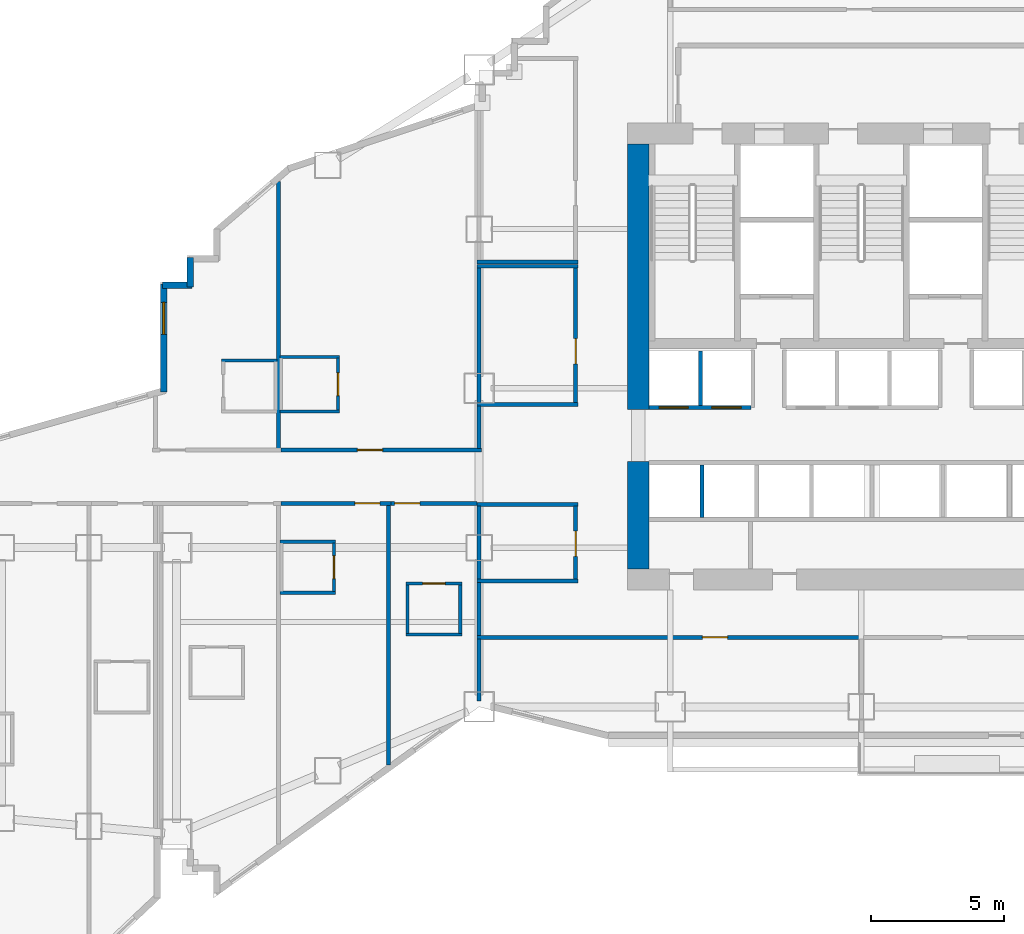
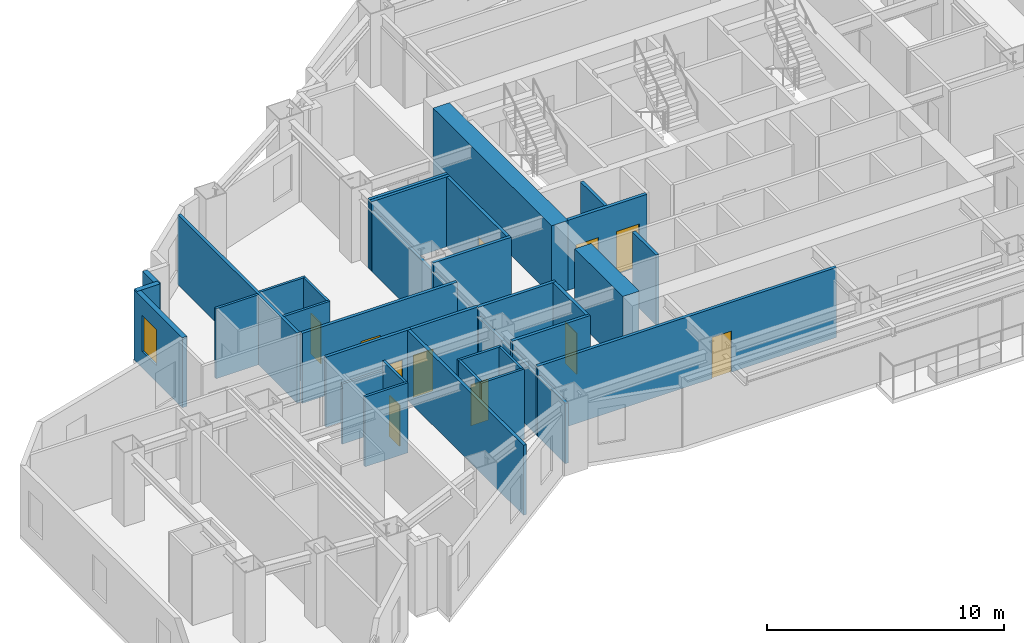
# One storey, part 7 of 17: 37 walls, 11 doors, 1 window, 12 openings.
"""IFC4 building model written with IfcOpenShell, lengths in metres."""

from ifc_helpers import new_model, si_unit, direction, frame, frame_2d, origin, place, context, subcontext, project, spatial, rectangle, extrude, material, layer, layer_set, type_object, element, fill, save


model = new_model("IFC4")

# Units and contexts
model_context = context("Model", 3, precision=1e-05, world=origin(), true_north=direction((0.0, 1.0)))
body_context = subcontext(model_context, "Body", "Model", "MODEL_VIEW")
ifc_project = project(units=[si_unit("LENGTHUNIT", "METRE"), si_unit("AREAUNIT", "SQUARE_METRE"), si_unit("VOLUMEUNIT", "CUBIC_METRE"), si_unit("PLANEANGLEUNIT", "RADIAN"), si_unit("MASSUNIT", "GRAM", prefix="KILO")], contexts=[model_context])

# Site, building, storey
site_placement = place(None, origin())
site = spatial("IfcSite", under=ifc_project, at=site_placement, CompositionType="ELEMENT")
building_placement = place(site_placement, origin())
building = spatial("IfcBuilding", under=site, at=building_placement, Name="Haolan Belvedere Tower", CompositionType="ELEMENT")
storey_placement = place(building_placement, frame((0.0, 0.0, 59.0)))
storey = spatial("IfcBuildingStorey", under=building, at=storey_placement, Name="L14", CompositionType="ELEMENT", Elevation=59.0)

# Walls
ifc_material_1 = material(Name="Concrete C70/85", Category="concrete")
ifc_layer_1 = layer(ifc_material_1, 0.800048828125, Name="Concrete C70/85")
ifc_layer_set_1 = layer_set([ifc_layer_1], Name="Concrete C70/85")
wall_type_1 = type_object("IfcWallType", Name="WL-CORE-800", PredefinedType="SHEAR", material=ifc_layer_set_1)
wall_1_placement = place(storey_placement, frame((30.0, 26.800048828125, 0.0), z_axis=(0.0, 0.0, 1.0), x_axis=(0.0, 1.0, 0.0)))
element("IfcWall", 1, at=wall_1_placement, inside=storey, type_object=wall_type_1, Name="L14 central core shear wall WS", PredefinedType="SHEAR", context=body_context, shape_type="SweptSolid", body=[
    extrude(rectangle(XDim=4.050048828125, YDim=0.800048828125, at=frame_2d((2.02490234375, 0.0))), origin(), (0.0, 0.0, 1.0), 3.60009765625),
])
wall_2_placement = place(storey_placement, frame((30.0, 32.800048828125, 0.0), z_axis=(0.0, 0.0, 1.0), x_axis=(0.0, 1.0, 0.0)))
element("IfcWall", 2, at=wall_2_placement, inside=storey, type_object=wall_type_1, Name="L14 central core shear wall WN", PredefinedType="SHEAR", context=body_context, shape_type="SweptSolid", body=[
    extrude(rectangle(XDim=10.0, YDim=0.800048828125, at=frame_2d((5.0, 0.0))), origin(), (0.0, 0.0, 1.0), 3.60009765625),
])
ifc_material_2 = material(Name="Precast concrete C40/50", Category="concrete")
ifc_layer_2 = layer(ifc_material_2, 0.239990234375, Name="Precast concrete C40/50")
ifc_layer_set_2 = layer_set([ifc_layer_2], Name="Precast concrete C40/50")
wall_type_2 = type_object("IfcWallType", Name="WL-EXT-240", PredefinedType="SOLIDWALL", material=ifc_layer_set_2)
wall_3_placement = place(storey_placement, frame((13.1201171875, 38.534912109375, 0.0), z_axis=(0.0, 0.0, 1.0), x_axis=(0.0, -1.0, 0.0)))
element("IfcWall", 3, at=wall_3_placement, inside=storey, type_object=wall_type_2, Name="L14 pale-metal exterior spandrel wall 54.1", PredefinedType="SOLIDWALL", context=body_context, shape_type="SweptSolid", body=[
    extrude(rectangle(XDim=1.10986328125, YDim=0.239990234375, at=frame_2d((0.554931640625, 0.0))), origin(), (0.0, 0.0, 1.0), 3.60009765625),
])
wall_4_placement = place(storey_placement, frame((13.175048828125, 37.47998046875, 0.0), z_axis=(0.0, 0.0, 1.0), x_axis=(-1.0, 0.0, 0.0)))
element("IfcWall", 4, at=wall_4_placement, inside=storey, type_object=wall_type_2, Name="L14 pale-metal exterior spandrel wall 55.1", PredefinedType="SOLIDWALL", context=body_context, shape_type="SweptSolid", body=[
    extrude(rectangle(XDim=1.110107421875, YDim=0.239990234375, at=frame_2d((0.55517578125, 0.0))), origin(), (0.0, 0.0, 1.0), 3.60009765625),
])

# Wall, opening, window
wall_5_placement = place(storey_placement, frame((12.1201171875, 37.534912109375, 0.0), z_axis=(0.0, 0.0, 1.0), x_axis=(0.0, -1.0, 0.0)))
wall_5 = element("IfcWall", 5, at=wall_5_placement, inside=storey, type_object=wall_type_2, Name="L14 pale-metal exterior spandrel wall 56.1", PredefinedType="SOLIDWALL", context=body_context, shape_type="SweptSolid", body=[
    extrude(rectangle(XDim=4.080322265625, YDim=0.239990234375, at=frame_2d((2.0400390625, 0.0))), origin(), (0.0, 0.0, 1.0), 3.60009765625),
])
opening_1_placement = place(wall_5_placement, frame((0.699951171875, 0.0, 0.85009765625)))
opening_1 = element("IfcOpeningElement", 6, at=opening_1_placement, cuts=wall_5, Name="Opening W-01", PredefinedType="OPENING", context=body_context, shape_type="SweptSolid", body=[
    extrude(rectangle(XDim=1.199951171875, YDim=1.85009765625, at=frame_2d((0.60009765625, 0.925048828125))), frame((0.0, 0.1298828125, 0.0), z_axis=(0.0, -1.0, 0.0), x_axis=(1.0, 0.0, 0.0)), (0.0, 0.0, 1.0), 0.260009765625),
])
ifc_material_3 = material(Name="Anodised aluminium 6063-T6 and Low-E glass", Category="aluminium")
window_type = type_object("IfcWindowType", Name="WN-DECO-Z1", PartitioningType="SINGLE_PANEL", PredefinedType="WINDOW", material=ifc_material_3)
window_placement = place(opening_1_placement, origin())
window = element("IfcWindow", 7, at=window_placement, inside=storey, type_object=window_type, Name="L14 Art Deco chevron window 1", OverallHeight=1.85009765625, OverallWidth=1.199951171875, PartitioningType="SINGLE_PANEL", PredefinedType="WINDOW", context=body_context, shape_type="SweptSolid", body=[
    extrude(rectangle(XDim=1.199951171875, YDim=1.85009765625, at=frame_2d((0.60009765625, 0.925048828125))), frame((0.0, 0.030029296875, 0.0), z_axis=(0.0, -1.0, 0.0), x_axis=(1.0, 0.0, 0.0)), (0.0, 0.0, 1.0), 0.06005859375),
])
fill(opening_1, window)

# Walls
ifc_material_4 = material(Name="Double gypsum acoustic stud partition", Category="masonry")
ifc_layer_3 = layer(ifc_material_4, 0.14990234375, Name="Double gypsum acoustic stud partition")
ifc_layer_set_3 = layer_set([ifc_layer_3], Name="Double gypsum acoustic stud partition")
wall_type_3 = type_object("IfcWallType", Name="WL-PART-150", PredefinedType="PARTITIONING", material=ifc_layer_set_3)
for number, where, z_axis, x_axis, name in (
    (8, (23.919921875, 38.199951171875, 0.0), (0.0, 0.0, 1.0), (1.0, 0.0, 0.0), "L14 interior partition IW-L14-HSK-N"),
    (9, (23.919921875, 33.0, 0.0), (0.0, 0.0, 1.0), (1.0, 0.0, 0.0), "L14 interior partition IW-L14-HSK-S"),
):
    element("IfcWall", number, at=place(storey_placement, frame(where, z_axis=z_axis, x_axis=x_axis)), inside=storey, type_object=wall_type_3, Name=name, PredefinedType="PARTITIONING", context=body_context, shape_type="SweptSolid", body=[
        extrude(rectangle(XDim=3.800048828125, YDim=0.14990234375, at=frame_2d((1.89990234375, 0.0))), origin(), (0.0, 0.0, 1.0), 3.60009765625),
    ])
wall_6_placement = place(storey_placement, frame((24.0, 33.06005859375, 0.0), z_axis=(0.0, 0.0, 1.0), x_axis=(0.0, 1.0, 0.0)))
element("IfcWall", 10, at=wall_6_placement, inside=storey, type_object=wall_type_3, Name="L14 interior partition IW-L14-HSK-W", PredefinedType="PARTITIONING", context=body_context, shape_type="SweptSolid", body=[
    extrude(rectangle(XDim=5.079833984375, YDim=0.14990234375, at=frame_2d((2.5400390625, 0.0))), origin(), (0.0, 0.0, 1.0), 3.096923828125),
])

# Wall, opening, door
wall_7_placement = place(storey_placement, frame((27.639892578125, 33.06005859375, 0.0), z_axis=(0.0, 0.0, 1.0), x_axis=(0.0, 1.0, 0.0)))
wall_7 = element("IfcWall", 11, at=wall_7_placement, inside=storey, type_object=wall_type_3, Name="L14 interior partition IW-L14-HSK-E", PredefinedType="PARTITIONING", context=body_context, shape_type="SweptSolid", body=[
    extrude(rectangle(XDim=5.079833984375, YDim=0.14990234375, at=frame_2d((2.5400390625, 0.0))), origin(), (0.0, 0.0, 1.0), 3.60009765625),
])
opening_2_placement = place(wall_7_placement, frame((2.409912109375, 0.0, 0.0), z_axis=(0.0, 0.0, 1.0), x_axis=(-1.0, 0.0, 0.0)))
opening_2 = element("IfcOpeningElement", 12, at=opening_2_placement, cuts=wall_7, Name="Opening ID-03", PredefinedType="OPENING", context=body_context, shape_type="SweptSolid", body=[
    extrude(rectangle(XDim=0.949951171875, YDim=2.1201171875, at=frame_2d((0.47509765625, 1.06005859375))), frame((0.0, 0.0849609375, 0.0), z_axis=(0.0, -1.0, 0.0), x_axis=(1.0, 0.0, 0.0)), (0.0, 0.0, 1.0), 0.169921875),
])
ifc_material_5 = material(Name="Painted solid-core timber", Category="wood")
door_type_1 = type_object("IfcDoorType", Name="DR-INT-950", OperationType="NOTDEFINED", PredefinedType="DOOR", material=ifc_material_5)
door_1_placement = place(opening_2_placement, origin())
door_1 = element("IfcDoor", 13, at=door_1_placement, inside=storey, type_object=door_type_1, Name="L14 door ID-L14-HSK", OperationType="SINGLE_SWING_LEFT", OverallHeight=2.1201171875, OverallWidth=0.949951171875, PredefinedType="DOOR", context=body_context, shape_type="SweptSolid", body=[
    extrude(rectangle(XDim=0.949951171875, YDim=2.1201171875, at=frame_2d((0.47509765625, 1.06005859375))), frame((0.0, 0.02490234375, 0.0), z_axis=(0.0, -1.0, 0.0), x_axis=(1.0, 0.0, 0.0)), (0.0, 0.0, 1.0), 0.050048828125),
])
fill(opening_2, door_1)

# Walls
for number, where, z_axis, x_axis, name in (
    (14, (23.919921875, 38.360107421875, 0.0), (0.0, 0.0, 1.0), (1.0, 0.0, 0.0), "L14 interior partition IW-L14-VLT-S"),
    (15, (23.919921875, 29.22998046875, 0.0), (0.0, 0.0, 1.0), (1.0, 0.0, 0.0), "L14 interior partition IW-L14-PKTW-N"),
    (16, (23.919921875, 26.35009765625, 0.0), (0.0, 0.0, 1.0), (1.0, 0.0, 0.0), "L14 interior partition IW-L14-PKTW-S"),
):
    element("IfcWall", number, at=place(storey_placement, frame(where, z_axis=z_axis, x_axis=x_axis)), inside=storey, type_object=wall_type_3, Name=name, PredefinedType="PARTITIONING", context=body_context, shape_type="SweptSolid", body=[
        extrude(rectangle(XDim=3.800048828125, YDim=0.14990234375, at=frame_2d((1.89990234375, 0.0))), origin(), (0.0, 0.0, 1.0), 3.60009765625),
    ])
wall_8_placement = place(storey_placement, frame((24.0, 26.409912109375, 0.0), z_axis=(0.0, 0.0, 1.0), x_axis=(0.0, 1.0, 0.0)))
element("IfcWall", 17, at=wall_8_placement, inside=storey, type_object=wall_type_3, Name="L14 interior partition IW-L14-PKTW-W", PredefinedType="PARTITIONING", context=body_context, shape_type="SweptSolid", body=[
    extrude(rectangle(XDim=2.760009765625, YDim=0.14990234375, at=frame_2d((1.3798828125, 0.0))), origin(), (0.0, 0.0, 1.0), 3.096923828125),
])

# Wall, opening, door
wall_9_placement = place(storey_placement, frame((27.639892578125, 26.409912109375, 0.0), z_axis=(0.0, 0.0, 1.0), x_axis=(0.0, 1.0, 0.0)))
wall_9 = element("IfcWall", 18, at=wall_9_placement, inside=storey, type_object=wall_type_3, Name="L14 interior partition IW-L14-PKTW-E", PredefinedType="PARTITIONING", context=body_context, shape_type="SweptSolid", body=[
    extrude(rectangle(XDim=2.760009765625, YDim=0.14990234375, at=frame_2d((1.3798828125, 0.0))), origin(), (0.0, 0.0, 1.0), 3.60009765625),
])
opening_3_placement = place(wall_9_placement, frame((1.81005859375, 0.0, 0.0), z_axis=(0.0, 0.0, 1.0), x_axis=(-1.0, 0.0, 0.0)))
opening_3 = element("IfcOpeningElement", 19, at=opening_3_placement, cuts=wall_9, Name="Opening ID-03", PredefinedType="OPENING", context=body_context, shape_type="SweptSolid", body=[
    extrude(rectangle(XDim=0.949951171875, YDim=2.1201171875, at=frame_2d((0.47509765625, 1.06005859375))), frame((0.0, 0.0849609375, 0.0), z_axis=(0.0, -1.0, 0.0), x_axis=(1.0, 0.0, 0.0)), (0.0, 0.0, 1.0), 0.169921875),
])
door_2_placement = place(opening_3_placement, origin())
door_2 = element("IfcDoor", 20, at=door_2_placement, inside=storey, type_object=door_type_1, Name="L14 door ID-L14-PKTW", OperationType="SINGLE_SWING_LEFT", OverallHeight=2.1201171875, OverallWidth=0.949951171875, PredefinedType="DOOR", context=body_context, shape_type="SweptSolid", body=[
    extrude(rectangle(XDim=0.949951171875, YDim=2.1201171875, at=frame_2d((0.47509765625, 1.06005859375))), frame((0.0, 0.02490234375, 0.0), z_axis=(0.0, -1.0, 0.0), x_axis=(1.0, 0.0, 0.0)), (0.0, 0.0, 1.0), 0.050048828125),
])
fill(opening_3, door_2)

wall_10_placement = place(storey_placement, frame((23.919921875, 24.219970703125, 0.0), z_axis=(0.0, 0.0, 1.0), x_axis=(1.0, 0.0, 0.0)))
wall_10 = element("IfcWall", 21, at=wall_10_placement, inside=storey, type_object=wall_type_3, Name="L14 interior partition IW-L14-KS1-N", PredefinedType="PARTITIONING", context=body_context, shape_type="SweptSolid", body=[
    extrude(rectangle(XDim=14.56005859375, YDim=0.14990234375, at=frame_2d((7.280029296875, 0.0))), origin(), (0.0, 0.0, 1.0), 3.60009765625),
])
opening_4_placement = place(wall_10_placement, frame((9.445068359375, 0.0, 0.0), z_axis=(0.0, 0.0, 1.0), x_axis=(-1.0, 0.0, 0.0)))
opening_4 = element("IfcOpeningElement", 22, at=opening_4_placement, cuts=wall_10, Name="Opening ID-03", PredefinedType="OPENING", context=body_context, shape_type="SweptSolid", body=[
    extrude(rectangle(XDim=0.949951171875, YDim=2.1201171875, at=frame_2d((0.47509765625, 1.06005859375))), frame((0.0, 0.0849609375, 0.0), z_axis=(0.0, -1.0, 0.0), x_axis=(1.0, 0.0, 0.0)), (0.0, 0.0, 1.0), 0.169921875),
])
door_3_placement = place(opening_4_placement, origin())
door_3 = element("IfcDoor", 23, at=door_3_placement, inside=storey, type_object=door_type_1, Name="L14 door ID-L14-KS1", OperationType="SINGLE_SWING_RIGHT", OverallHeight=2.1201171875, OverallWidth=0.949951171875, PredefinedType="DOOR", context=body_context, shape_type="SweptSolid", body=[
    extrude(rectangle(XDim=0.949951171875, YDim=2.1201171875, at=frame_2d((0.47509765625, 1.06005859375))), frame((0.0, 0.02490234375, 0.0), z_axis=(0.0, -1.0, 0.0), x_axis=(1.0, 0.0, 0.0)), (0.0, 0.0, 1.0), 0.050048828125),
])
fill(opening_4, door_3)

# Walls
wall_11_placement = place(storey_placement, frame((24.0, 21.818603515625, 0.0), z_axis=(0.0, 0.0, 1.0), x_axis=(0.0, 1.0, 0.0)))
element("IfcWall", 24, at=wall_11_placement, inside=storey, type_object=wall_type_3, Name="L14 interior partition IW-L14-KS1-W", PredefinedType="PARTITIONING", context=body_context, shape_type="SweptSolid", body=[
    extrude(rectangle(XDim=2.34130859375, YDim=0.14990234375, at=frame_2d((1.170654296875, 0.0))), origin(), (0.0, 0.0, 1.0), 3.096923828125),
])
wall_12_placement = place(storey_placement, frame((16.43994140625, 31.340087890625, 0.0), z_axis=(0.0, 0.0, 1.0), x_axis=(0.0, 1.0, 0.0)))
element("IfcWall", 25, at=wall_12_placement, inside=storey, type_object=wall_type_3, Name="L14 interior partition IW-L14-T2N1-E", PredefinedType="PARTITIONING", context=body_context, shape_type="SweptSolid", body=[
    extrude(rectangle(XDim=10.054931640625, YDim=0.14990234375, at=frame_2d((5.02734375, 0.0))), origin(), (0.0, 0.0, 1.0), 3.60009765625),
])

# Wall, opening, door
wall_13_placement = place(storey_placement, frame((16.5419921875, 31.280029296875, 0.0), z_axis=(0.0, 0.0, 1.0), x_axis=(1.0, 0.0, 0.0)))
wall_13 = element("IfcWall", 26, at=wall_13_placement, inside=storey, type_object=wall_type_3, Name="L14 interior partition IW-L14-T2N2-S", PredefinedType="PARTITIONING", context=body_context, shape_type="SweptSolid", body=[
    extrude(rectangle(XDim=7.55810546875, YDim=0.14990234375, at=frame_2d((3.779052734375, 0.0))), origin(), (0.0, 0.0, 1.0), 3.60009765625),
])
opening_5_placement = place(wall_13_placement, frame((2.869384765625, 0.0, 0.0)))
opening_5 = element("IfcOpeningElement", 27, at=opening_5_placement, cuts=wall_13, Name="Opening ID-01", PredefinedType="OPENING", context=body_context, shape_type="SweptSolid", body=[
    extrude(rectangle(XDim=0.949951171875, YDim=2.179931640625, at=frame_2d((0.47509765625, 1.08984375))), frame((0.0, 0.0849609375, 0.0), z_axis=(0.0, -1.0, 0.0), x_axis=(1.0, 0.0, 0.0)), (0.0, 0.0, 1.0), 0.169921875),
])
ifc_material_6 = material(Name="Acoustic walnut veneer fire-rated timber", Category="wood")
door_type_2 = type_object("IfcDoorType", Name="DR-SUITE-950", OperationType="NOTDEFINED", PredefinedType="DOOR", material=ifc_material_6)
door_4_placement = place(opening_5_placement, origin())
door_4 = element("IfcDoor", 28, at=door_4_placement, inside=storey, type_object=door_type_2, Name="L14 door ID-L14-T2N2-ENT", OperationType="SINGLE_SWING_LEFT", OverallHeight=2.179931640625, OverallWidth=0.949951171875, PredefinedType="DOOR", context=body_context, shape_type="SweptSolid", body=[
    extrude(rectangle(XDim=0.949951171875, YDim=2.179931640625, at=frame_2d((0.47509765625, 1.08984375))), frame((0.0, 0.02490234375, 0.0), z_axis=(0.0, -1.0, 0.0), x_axis=(1.0, 0.0, 0.0)), (0.0, 0.0, 1.0), 0.050048828125),
])
fill(opening_5, door_4)

# Wall
wall_14_placement = place(storey_placement, frame((24.0, 31.340087890625, 0.0), z_axis=(0.0, 0.0, 1.0), x_axis=(0.0, 1.0, 0.0)))
element("IfcWall", 29, at=wall_14_placement, inside=storey, type_object=wall_type_3, Name="L14 interior partition IW-L14-T2N2-E", PredefinedType="PARTITIONING", context=body_context, shape_type="SweptSolid", body=[
    extrude(rectangle(XDim=1.599853515625, YDim=0.14990234375, at=frame_2d((0.7998046875, 0.0))), origin(), (0.0, 0.0, 1.0), 3.096923828125),
])

# Wall, opening, door
wall_15_placement = place(storey_placement, frame((16.5419921875, 29.27001953125, 0.0), z_axis=(0.0, 0.0, 1.0), x_axis=(1.0, 0.0, 0.0)))
wall_15 = element("IfcWall", 30, at=wall_15_placement, inside=storey, type_object=wall_type_3, Name="L14 interior partition IW-L14-T2S2-N", PredefinedType="PARTITIONING", context=body_context, shape_type="SweptSolid", body=[
    extrude(rectangle(XDim=4.137939453125, YDim=0.14990234375, at=frame_2d((2.06884765625, 0.0))), origin(), (0.0, 0.0, 1.0), 3.60009765625),
])
opening_6_placement = place(wall_15_placement, frame((3.724853515625, 0.0, 0.0), z_axis=(0.0, 0.0, 1.0), x_axis=(-1.0, 0.0, 0.0)))
opening_6 = element("IfcOpeningElement", 31, at=opening_6_placement, cuts=wall_15, Name="Opening ID-02", PredefinedType="OPENING", context=body_context, shape_type="SweptSolid", body=[
    extrude(rectangle(XDim=0.949951171875, YDim=2.14990234375, at=frame_2d((0.47509765625, 1.074951171875))), frame((0.0, 0.0849609375, 0.0), z_axis=(0.0, -1.0, 0.0), x_axis=(1.0, 0.0, 0.0)), (0.0, 0.0, 1.0), 0.169921875),
])
ifc_material_7 = material(Name="Acoustic oak veneer fire-rated timber", Category="wood")
door_type_3 = type_object("IfcDoorType", Name="DR-GUEST-950", OperationType="NOTDEFINED", PredefinedType="DOOR", material=ifc_material_7)
door_5_placement = place(opening_6_placement, origin())
door_5 = element("IfcDoor", 32, at=door_5_placement, inside=storey, type_object=door_type_3, Name="L14 door ID-L14-T2S2-ENT", OperationType="SINGLE_SWING_LEFT", OverallHeight=2.14990234375, OverallWidth=0.949951171875, PredefinedType="DOOR", context=body_context, shape_type="SweptSolid", body=[
    extrude(rectangle(XDim=0.949951171875, YDim=2.14990234375, at=frame_2d((0.47509765625, 1.074951171875))), frame((0.0, 0.02490234375, 0.0), z_axis=(0.0, -1.0, 0.0), x_axis=(1.0, 0.0, 0.0)), (0.0, 0.0, 1.0), 0.050048828125),
])
fill(opening_6, door_5)

# Wall
wall_16_placement = place(storey_placement, frame((20.580078125, 19.414794921875, 0.0), z_axis=(0.0, 0.0, 1.0), x_axis=(0.0, 1.0, 0.0)))
element("IfcWall", 33, at=wall_16_placement, inside=storey, type_object=wall_type_3, Name="L14 interior partition IW-L14-T2S2-E", PredefinedType="PARTITIONING", context=body_context, shape_type="SweptSolid", body=[
    extrude(rectangle(XDim=9.795166015625, YDim=0.14990234375, at=frame_2d((4.8974609375, 0.0))), origin(), (0.0, 0.0, 1.0), 3.60009765625),
])

# Wall, opening, door
wall_17_placement = place(storey_placement, frame((20.681884765625, 29.27001953125, 0.0), z_axis=(0.0, 0.0, 1.0), x_axis=(1.0, 0.0, 0.0)))
wall_17 = element("IfcWall", 34, at=wall_17_placement, inside=storey, type_object=wall_type_3, Name="L14 interior partition IW-L14-T2S3-N", PredefinedType="PARTITIONING", context=body_context, shape_type="SweptSolid", body=[
    extrude(rectangle(XDim=3.236083984375, YDim=0.14990234375, at=frame_2d((1.6181640625, 0.0))), origin(), (0.0, 0.0, 1.0), 3.60009765625),
])
opening_7_placement = place(wall_17_placement, frame((1.08984375, 0.0, 0.0), z_axis=(0.0, 0.0, 1.0), x_axis=(-1.0, 0.0, 0.0)))
opening_7 = element("IfcOpeningElement", 35, at=opening_7_placement, cuts=wall_17, Name="Opening ID-02", PredefinedType="OPENING", context=body_context, shape_type="SweptSolid", body=[
    extrude(rectangle(XDim=0.949951171875, YDim=2.14990234375, at=frame_2d((0.47509765625, 1.074951171875))), frame((0.0, 0.0849609375, 0.0), z_axis=(0.0, -1.0, 0.0), x_axis=(1.0, 0.0, 0.0)), (0.0, 0.0, 1.0), 0.169921875),
])
door_6_placement = place(opening_7_placement, origin())
door_6 = element("IfcDoor", 36, at=door_6_placement, inside=storey, type_object=door_type_3, Name="L14 door ID-L14-T2S3-ENT", OperationType="SINGLE_SWING_RIGHT", OverallHeight=2.14990234375, OverallWidth=0.949951171875, PredefinedType="DOOR", context=body_context, shape_type="SweptSolid", body=[
    extrude(rectangle(XDim=0.949951171875, YDim=2.14990234375, at=frame_2d((0.47509765625, 1.074951171875))), frame((0.0, 0.02490234375, 0.0), z_axis=(0.0, -1.0, 0.0), x_axis=(1.0, 0.0, 0.0)), (0.0, 0.0, 1.0), 0.050048828125),
])
fill(opening_7, door_6)

# Wall
wall_18_placement = place(storey_placement, frame((24.0, 24.280029296875, 0.0), z_axis=(0.0, 0.0, 1.0), x_axis=(0.0, 1.0, 0.0)))
element("IfcWall", 37, at=wall_18_placement, inside=storey, type_object=wall_type_3, Name="L14 interior partition IW-L14-T2S3-E", PredefinedType="PARTITIONING", context=body_context, shape_type="SweptSolid", body=[
    extrude(rectangle(XDim=2.010009765625, YDim=0.14990234375, at=frame_2d((1.0048828125, 0.0))), origin(), (0.0, 0.0, 1.0), 3.096923828125),
])

# Wall, openings, doors
ifc_material_8 = material(Name="Gypsum fire shaftwall assembly", Category="masonry")
ifc_layer_4 = layer(ifc_material_8, 0.1650390625, Name="Gypsum fire shaftwall assembly")
ifc_layer_set_4 = layer_set([ifc_layer_4], Name="Gypsum fire shaftwall assembly")
wall_type_4 = type_object("IfcWallType", Name="WL-SHAFT-160", PredefinedType="SOLIDWALL", material=ifc_layer_set_4)
wall_19_placement = place(storey_placement, frame((30.39990234375, 32.8798828125, 0.0), z_axis=(0.0, 0.0, 1.0), x_axis=(1.0, 0.0, 0.0)))
wall_19 = element("IfcWall", 38, at=wall_19_placement, inside=storey, type_object=wall_type_4, Name="L14 interior partition IW-L14-ROW-PN1", PredefinedType="SOLIDWALL", context=body_context, shape_type="SweptSolid", body=[
    extrude(rectangle(XDim=3.85009765625, YDim=0.159912109375, at=frame_2d((1.925048828125, 0.0))), origin(), (0.0, 0.0, 1.0), 3.60009765625),
])
opening_8_placement = place(wall_19_placement, frame((1.47998046875, 0.0, 0.0), z_axis=(0.0, 0.0, 1.0), x_axis=(-1.0, 0.0, 0.0)))
opening_8 = element("IfcOpeningElement", 39, at=opening_8_placement, cuts=wall_19, Name="Opening LD-01", PredefinedType="OPENING", context=body_context, shape_type="SweptSolid", body=[
    extrude(rectangle(XDim=1.10009765625, YDim=2.199951171875, at=frame_2d((0.550048828125, 1.10009765625))), frame((0.0, 0.08984375, 0.0), z_axis=(0.0, -1.0, 0.0), x_axis=(1.0, 0.0, 0.0)), (0.0, 0.0, 1.0), 0.179931640625),
])
opening_9_placement = place(wall_19_placement, frame((3.47021484375, 0.0, 0.0), z_axis=(0.0, 0.0, 1.0), x_axis=(-1.0, 0.0, 0.0)))
opening_9 = element("IfcOpeningElement", 40, at=opening_9_placement, cuts=wall_19, Name="Opening LD-01", PredefinedType="OPENING", context=body_context, shape_type="SweptSolid", body=[
    extrude(rectangle(XDim=1.10009765625, YDim=2.199951171875, at=frame_2d((0.550048828125, 1.10009765625))), frame((0.0, 0.08984375, 0.0), z_axis=(0.0, -1.0, 0.0), x_axis=(1.0, 0.0, 0.0)), (0.0, 0.0, 1.0), 0.179931640625),
])
ifc_material_9 = material(Name="Brushed champagne stainless steel 316L", Category="steel")
door_type_4 = type_object("IfcDoorType", Name="DR-LIFT-1100", OperationType="SLIDING_TO_LEFT", PredefinedType="DOOR", material=ifc_material_9)
door_7_placement = place(opening_8_placement, origin())
door_7 = element("IfcDoor", 41, at=door_7_placement, inside=storey, type_object=door_type_4, Name="L14 door ID-L14-LD-PL1", OperationType="SLIDING_TO_LEFT", OverallHeight=2.199951171875, OverallWidth=1.10009765625, PredefinedType="DOOR", context=body_context, shape_type="SweptSolid", body=[
    extrude(rectangle(XDim=1.10009765625, YDim=2.199951171875, at=frame_2d((0.550048828125, 1.10009765625))), frame((0.0, 0.02490234375, 0.0), z_axis=(0.0, -1.0, 0.0), x_axis=(1.0, 0.0, 0.0)), (0.0, 0.0, 1.0), 0.050048828125),
])
fill(opening_8, door_7)
door_8_placement = place(opening_9_placement, origin())
door_8 = element("IfcDoor", 42, at=door_8_placement, inside=storey, type_object=door_type_4, Name="L14 door ID-L14-LD-PL2", OperationType="SLIDING_TO_LEFT", OverallHeight=2.199951171875, OverallWidth=1.10009765625, PredefinedType="DOOR", context=body_context, shape_type="SweptSolid", body=[
    extrude(rectangle(XDim=1.10009765625, YDim=2.199951171875, at=frame_2d((0.550048828125, 1.10009765625))), frame((0.0, 0.02490234375, 0.0), z_axis=(0.0, -1.0, 0.0), x_axis=(1.0, 0.0, 0.0)), (0.0, 0.0, 1.0), 0.050048828125),
])
fill(opening_9, door_8)

# Walls
wall_20_placement = place(storey_placement, frame((32.340087890625, 32.949951171875, 0.0), z_axis=(0.0, 0.0, 1.0), x_axis=(0.0, 1.0, 0.0)))
element("IfcWall", 43, at=wall_20_placement, inside=storey, type_object=wall_type_4, Name="L14 interior partition IW-L14-DIV-PL1", PredefinedType="SOLIDWALL", context=body_context, shape_type="SweptSolid", body=[
    extrude(rectangle(XDim=2.050048828125, YDim=0.14990234375, at=frame_2d((1.02490234375, 0.0))), origin(), (0.0, 0.0, 1.0), 3.60009765625),
])
wall_21_placement = place(storey_placement, frame((32.39990234375, 28.735107421875, 0.0), z_axis=(0.0, 0.0, 1.0), x_axis=(0.0, 1.0, 0.0)))
element("IfcWall", 44, at=wall_21_placement, inside=storey, type_object=wall_type_4, Name="L14 interior partition IW-L14-DIV-PM1", PredefinedType="SOLIDWALL", context=body_context, shape_type="SweptSolid", body=[
    extrude(rectangle(XDim=1.98486328125, YDim=0.14990234375, at=frame_2d((0.992431640625, 0.0))), origin(), (0.0, 0.0, 1.0), 3.60009765625),
])
ifc_material_10 = material(Name="Moisture-resistant gypsum tile partition", Category="masonry")
ifc_layer_5 = layer(ifc_material_10, 0.1201171875, Name="Moisture-resistant gypsum tile partition")
ifc_layer_set_5 = layer_set([ifc_layer_5], Name="Moisture-resistant gypsum tile partition")
wall_type_5 = type_object("IfcWallType", Name="WL-WET-120", PredefinedType="PARTITIONING", material=ifc_layer_set_5)
wall_22_placement = place(storey_placement, frame((14.300048828125, 34.64990234375, 0.0), z_axis=(0.0, 0.0, 1.0), x_axis=(1.0, 0.0, 0.0)))
element("IfcWall", 45, at=wall_22_placement, inside=storey, type_object=wall_type_5, Name="L14 interior partition IW-L14-T2N1-BN", PredefinedType="PARTITIONING", context=body_context, shape_type="SweptSolid", body=[
    extrude(rectangle(XDim=2.079833984375, YDim=0.1201171875, at=frame_2d((1.0400390625, 0.0))), origin(), (0.0, 0.0, 1.0), 3.60009765625),
])
for number, where, z_axis, x_axis, name in (
    (46, (16.5, 34.780029296875, 0.0), (0.0, 0.0, 1.0), (1.0, 0.0, 0.0), "L14 interior partition IW-L14-T2N2-BN"),
    (47, (16.5, 32.72998046875, 0.0), (0.0, 0.0, 1.0), (1.0, 0.0, 0.0), "L14 interior partition IW-L14-T2N2-BS"),
):
    element("IfcWall", number, at=place(storey_placement, frame(where, z_axis=z_axis, x_axis=x_axis)), inside=storey, type_object=wall_type_5, Name=name, PredefinedType="PARTITIONING", context=body_context, shape_type="SweptSolid", body=[
        extrude(rectangle(XDim=2.25, YDim=0.1201171875, at=frame_2d((1.125, 0.0))), origin(), (0.0, 0.0, 1.0), 3.60009765625),
    ])

# Wall, opening, door
wall_23_placement = place(storey_placement, frame((18.68994140625, 32.77490234375, 0.0), z_axis=(0.0, 0.0, 1.0), x_axis=(0.0, 1.0, 0.0)))
wall_23 = element("IfcWall", 48, at=wall_23_placement, inside=storey, type_object=wall_type_5, Name="L14 interior partition IW-L14-T2N2-BE", PredefinedType="PARTITIONING", context=body_context, shape_type="SweptSolid", body=[
    extrude(rectangle(XDim=1.960205078125, YDim=0.1201171875, at=frame_2d((0.97998046875, 0.0))), origin(), (0.0, 0.0, 1.0), 3.60009765625),
])
opening_10_placement = place(wall_23_placement, frame((0.554931640625, 0.0, 0.0)))
opening_10 = element("IfcOpeningElement", 49, at=opening_10_placement, cuts=wall_23, Name="Opening ID-05", PredefinedType="OPENING", context=body_context, shape_type="SweptSolid", body=[
    extrude(rectangle(XDim=0.85009765625, YDim=2.10009765625, at=frame_2d((0.425048828125, 1.050048828125))), frame((0.0, 0.070068359375, 0.0), z_axis=(0.0, -1.0, 0.0), x_axis=(1.0, 0.0, 0.0)), (0.0, 0.0, 1.0), 0.14013671875),
])
ifc_material_11 = material(Name="Moisture-resistant lacquered timber", Category="wood")
door_type_5 = type_object("IfcDoorType", Name="DR-BATH-850", OperationType="NOTDEFINED", PredefinedType="DOOR", material=ifc_material_11)
door_9_placement = place(opening_10_placement, origin())
door_9 = element("IfcDoor", 50, at=door_9_placement, inside=storey, type_object=door_type_5, Name="L14 door ID-L14-T2N2-BATH", OperationType="SINGLE_SWING_RIGHT", OverallHeight=2.10009765625, OverallWidth=0.85009765625, PredefinedType="DOOR", context=body_context, shape_type="SweptSolid", body=[
    extrude(rectangle(XDim=0.85009765625, YDim=2.10009765625, at=frame_2d((0.425048828125, 1.050048828125))), frame((0.0, 0.02490234375, 0.0), z_axis=(0.0, -1.0, 0.0), x_axis=(1.0, 0.0, 0.0)), (0.0, 0.0, 1.0), 0.050048828125),
])
fill(opening_10, door_9)

# Walls
wall_24_placement = place(storey_placement, frame((16.5, 27.820068359375, 0.0), z_axis=(0.0, 0.0, 1.0), x_axis=(1.0, 0.0, 0.0)))
element("IfcWall", 51, at=wall_24_placement, inside=storey, type_object=wall_type_5, Name="L14 interior partition IW-L14-T2S2-BN", PredefinedType="PARTITIONING", context=body_context, shape_type="SweptSolid", body=[
    extrude(rectangle(XDim=2.094970703125, YDim=0.1201171875, at=frame_2d((1.04736328125, 0.0))), origin(), (0.0, 0.0, 1.0), 3.096923828125),
])
wall_25_placement = place(storey_placement, frame((16.5, 25.89990234375, 0.0), z_axis=(0.0, 0.0, 1.0), x_axis=(1.0, 0.0, 0.0)))
element("IfcWall", 52, at=wall_25_placement, inside=storey, type_object=wall_type_5, Name="L14 interior partition IW-L14-T2S2-BS", PredefinedType="PARTITIONING", context=body_context, shape_type="SweptSolid", body=[
    extrude(rectangle(XDim=2.094970703125, YDim=0.1201171875, at=frame_2d((1.04736328125, 0.0))), origin(), (0.0, 0.0, 1.0), 3.60009765625),
])

# Wall, opening, door
wall_26_placement = place(storey_placement, frame((18.534912109375, 25.945068359375, 0.0), z_axis=(0.0, 0.0, 1.0), x_axis=(0.0, 1.0, 0.0)))
wall_26 = element("IfcWall", 53, at=wall_26_placement, inside=storey, type_object=wall_type_5, Name="L14 interior partition IW-L14-T2S2-BE", PredefinedType="PARTITIONING", context=body_context, shape_type="SweptSolid", body=[
    extrude(rectangle(XDim=1.829833984375, YDim=0.1201171875, at=frame_2d((0.9150390625, 0.0))), origin(), (0.0, 0.0, 1.0), 3.60009765625),
])
opening_11_placement = place(wall_26_placement, frame((0.489990234375, 0.0, 0.0)))
opening_11 = element("IfcOpeningElement", 54, at=opening_11_placement, cuts=wall_26, Name="Opening ID-05", PredefinedType="OPENING", context=body_context, shape_type="SweptSolid", body=[
    extrude(rectangle(XDim=0.85009765625, YDim=2.10009765625, at=frame_2d((0.425048828125, 1.050048828125))), frame((0.0, 0.070068359375, 0.0), z_axis=(0.0, -1.0, 0.0), x_axis=(1.0, 0.0, 0.0)), (0.0, 0.0, 1.0), 0.14013671875),
])
door_10_placement = place(opening_11_placement, origin())
door_10 = element("IfcDoor", 55, at=door_10_placement, inside=storey, type_object=door_type_5, Name="L14 door ID-L14-T2S2-BATH", OperationType="SINGLE_SWING_RIGHT", OverallHeight=2.10009765625, OverallWidth=0.85009765625, PredefinedType="DOOR", context=body_context, shape_type="SweptSolid", body=[
    extrude(rectangle(XDim=0.85009765625, YDim=2.10009765625, at=frame_2d((0.425048828125, 1.050048828125))), frame((0.0, 0.02490234375, 0.0), z_axis=(0.0, -1.0, 0.0), x_axis=(1.0, 0.0, 0.0)), (0.0, 0.0, 1.0), 0.050048828125),
])
fill(opening_11, door_10)

wall_27_placement = place(storey_placement, frame((21.248046875, 26.2451171875, 0.0), z_axis=(0.0, 0.0, 1.0), x_axis=(1.0, 0.0, 0.0)))
wall_27 = element("IfcWall", 56, at=wall_27_placement, inside=storey, type_object=wall_type_5, Name="L14 interior partition IW-L14-T2S3-BN", PredefinedType="PARTITIONING", context=body_context, shape_type="SweptSolid", body=[
    extrude(rectangle(XDim=2.099853515625, YDim=0.1201171875, at=frame_2d((1.0498046875, 0.0))), origin(), (0.0, 0.0, 1.0), 3.60009765625),
])
opening_12_placement = place(wall_27_placement, frame((1.47509765625, 0.0, 0.0), z_axis=(0.0, 0.0, 1.0), x_axis=(-1.0, 0.0, 0.0)))
opening_12 = element("IfcOpeningElement", 57, at=opening_12_placement, cuts=wall_27, Name="Opening ID-05", PredefinedType="OPENING", context=body_context, shape_type="SweptSolid", body=[
    extrude(rectangle(XDim=0.85009765625, YDim=2.10009765625, at=frame_2d((0.425048828125, 1.050048828125))), frame((0.0, 0.070068359375, 0.0), z_axis=(0.0, -1.0, 0.0), x_axis=(1.0, 0.0, 0.0)), (0.0, 0.0, 1.0), 0.14013671875),
])
door_11_placement = place(opening_12_placement, origin())
door_11 = element("IfcDoor", 58, at=door_11_placement, inside=storey, type_object=door_type_5, Name="L14 door ID-L14-T2S3-BATH", OperationType="SINGLE_SWING_LEFT", OverallHeight=2.10009765625, OverallWidth=0.85009765625, PredefinedType="DOOR", context=body_context, shape_type="SweptSolid", body=[
    extrude(rectangle(XDim=0.85009765625, YDim=2.10009765625, at=frame_2d((0.425048828125, 1.050048828125))), frame((0.0, 0.02490234375, 0.0), z_axis=(0.0, -1.0, 0.0), x_axis=(1.0, 0.0, 0.0)), (0.0, 0.0, 1.0), 0.050048828125),
])
fill(opening_12, door_11)

# Walls
wall_28_placement = place(storey_placement, frame((21.248046875, 24.324951171875, 0.0), z_axis=(0.0, 0.0, 1.0), x_axis=(1.0, 0.0, 0.0)))
element("IfcWall", 59, at=wall_28_placement, inside=storey, type_object=wall_type_5, Name="L14 interior partition IW-L14-T2S3-BS", PredefinedType="PARTITIONING", context=body_context, shape_type="SweptSolid", body=[
    extrude(rectangle(XDim=2.099853515625, YDim=0.1201171875, at=frame_2d((1.0498046875, 0.0))), origin(), (0.0, 0.0, 1.0), 3.60009765625),
])
for number, where, z_axis, x_axis, name in (
    (60, (21.30810546875, 24.3701171875, 0.0), (0.0, 0.0, 1.0), (0.0, 1.0, 0.0), "L14 interior partition IW-L14-T2S3-BW"),
    (61, (23.2880859375, 24.3701171875, 0.0), (0.0, 0.0, 1.0), (0.0, 1.0, 0.0), "L14 interior partition IW-L14-T2S3-BE"),
):
    element("IfcWall", number, at=place(storey_placement, frame(where, z_axis=z_axis, x_axis=x_axis)), inside=storey, type_object=wall_type_5, Name=name, PredefinedType="PARTITIONING", context=body_context, shape_type="SweptSolid", body=[
        extrude(rectangle(XDim=1.829833984375, YDim=0.1201171875, at=frame_2d((0.9150390625, 0.0))), origin(), (0.0, 0.0, 1.0), 3.60009765625),
    ])

save(model, "model.ifc")
